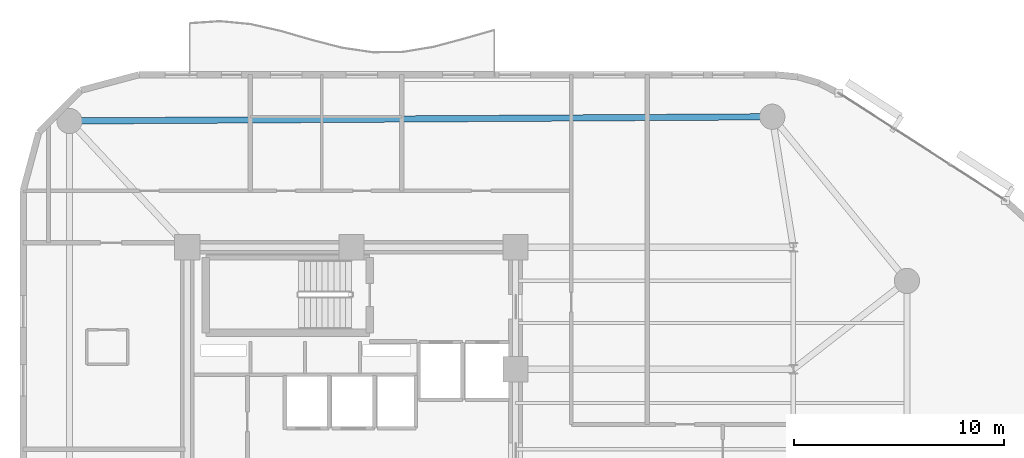
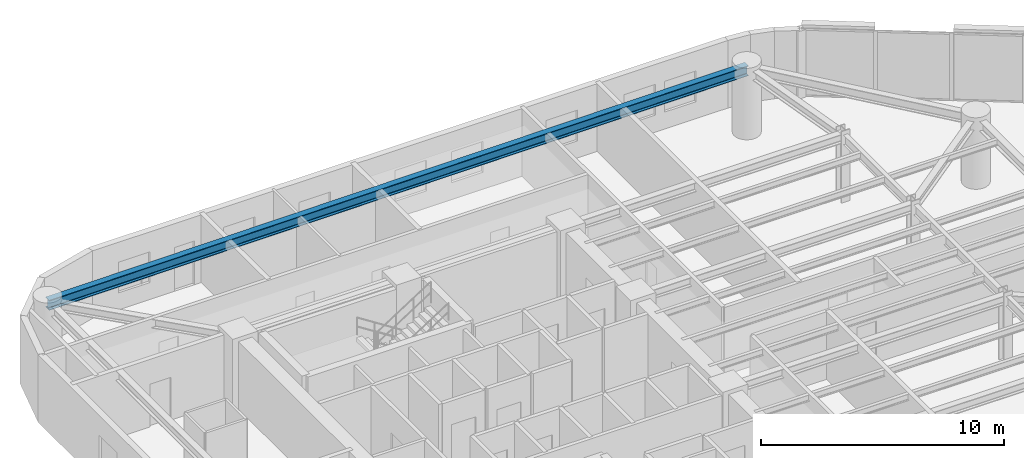
# One storey, part 7 of 15: 1 beam.
"""IFC4 building model written with IfcOpenShell, lengths in metres."""

from ifc_helpers import new_model, si_unit, direction, frame, origin, origin_2d, place, context, subcontext, project, spatial, i_section, extrude, material, material_profile, profile_set, type_object, element, save


model = new_model("IFC4")

# Units and contexts
model_context = context("Model", 3, precision=1e-05, world=origin(), true_north=direction((0.0, 1.0)))
body_context = subcontext(model_context, "Body", "Model", "MODEL_VIEW")
ifc_project = project(units=[si_unit("LENGTHUNIT", "METRE"), si_unit("AREAUNIT", "SQUARE_METRE"), si_unit("VOLUMEUNIT", "CUBIC_METRE"), si_unit("PLANEANGLEUNIT", "RADIAN"), si_unit("MASSUNIT", "GRAM", prefix="KILO")], contexts=[model_context])

# Site, building, storey
site_placement = place(None, origin())
site = spatial("IfcSite", under=ifc_project, at=site_placement, CompositionType="ELEMENT")
building_placement = place(site_placement, origin())
building = spatial("IfcBuilding", under=site, at=building_placement, Name="An Khanh Terracotta Commons", CompositionType="ELEMENT")
storey_placement = place(building_placement, frame((0.0, 0.0, 176.199951171875)))
storey = spatial("IfcBuildingStorey", under=building, at=storey_placement, Name="L46", CompositionType="ELEMENT", Elevation=176.199951171875)

# Beam
ifc_material = material(Name="Steel S355J2", Category="steel")
ifc_material_profile = material_profile(ifc_material, i_section(OverallWidth=0.300048828125, OverallDepth=0.5, WebThickness=0.014404296875, FlangeThickness=0.028076171875, FilletRadius=0.027099609375, at=origin_2d()), Name="HEB500")
ifc_profile_set = profile_set([ifc_material_profile], Name="Steel S355J2")
beam_type = type_object("IfcBeamType", Name="BM-HEB500", PredefinedType="BEAM", material=ifc_profile_set)
beam_placement = place(storey_placement, frame((49.39990234375, 39.800048828125, 3.150146484375), z_axis=(-0.999982080914, -0.005986472262, 0.0), x_axis=(0.005986472262, -0.999982080914, 0.0)))
element("IfcBeam", 1, at=beam_placement, inside=storey, type_object=beam_type, Name="L46 Perimeter Ring Spandrel 5", PredefinedType="BEAM", context=body_context, shape_type="SweptSolid", body=[
    extrude(i_section(OverallWidth=0.300048828125, OverallDepth=0.5, WebThickness=0.014404296875, FlangeThickness=0.028076171875, FilletRadius=0.027099609375, at=origin_2d()), origin(), (0.0, 0.0, 1.0), 33.400390625),
])

save(model, "model.ifc")
